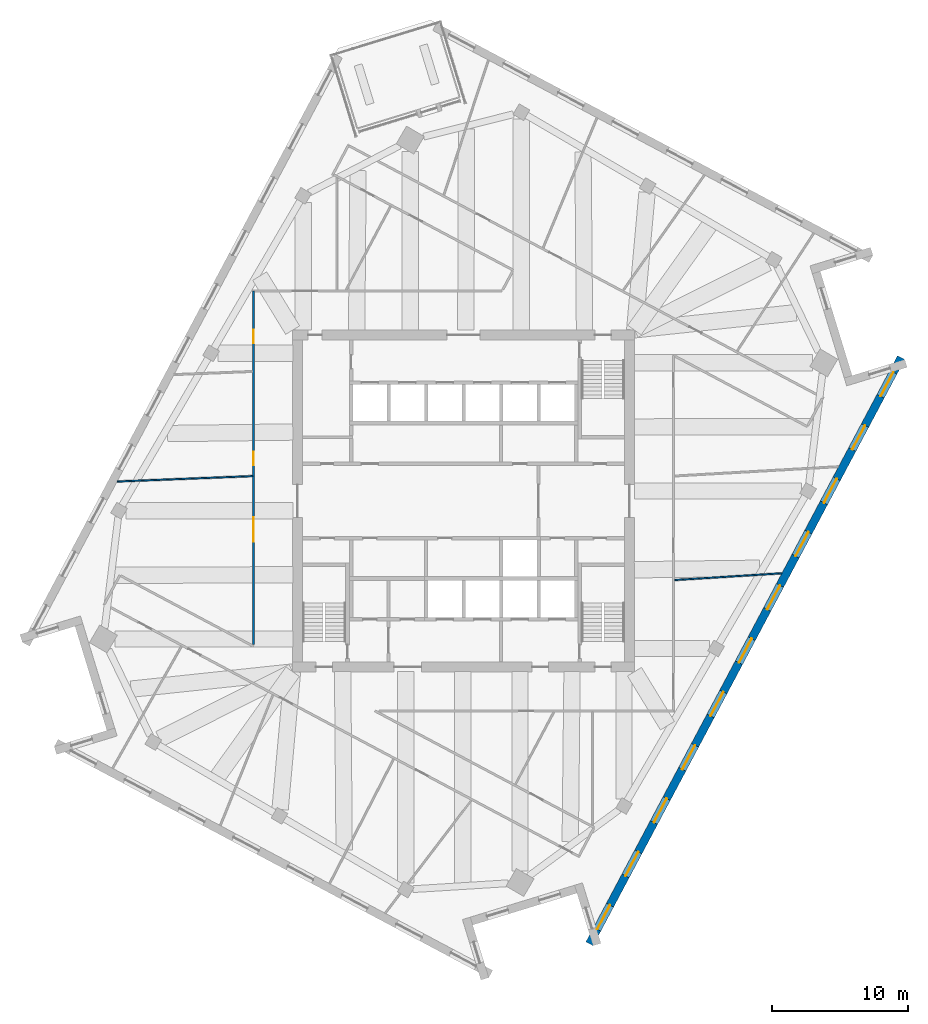
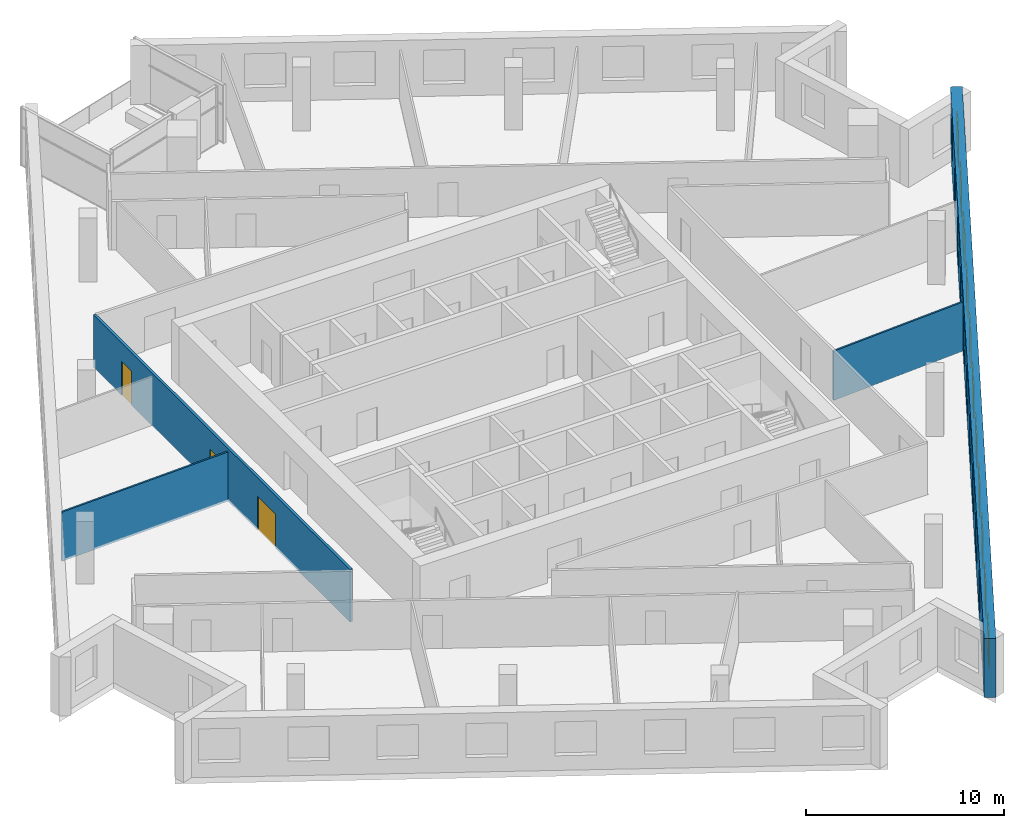
# One storey, part 8 of 13: 11 windows, 4 walls, 3 doors, 14 openings.
"""IFC4 building model written with IfcOpenShell, lengths in metres."""

from ifc_helpers import new_model, si_unit, direction, frame, frame_2d, origin, place, context, subcontext, project, spatial, rectangle, extrude, material, layer, layer_set, type_object, element, fill, save


model = new_model("IFC4")

# Units and contexts
model_context = context("Model", 3, precision=1e-05, world=origin(), true_north=direction((0.0, 1.0)))
body_context = subcontext(model_context, "Body", "Model", "MODEL_VIEW")
ifc_project = project(units=[si_unit("LENGTHUNIT", "METRE"), si_unit("AREAUNIT", "SQUARE_METRE"), si_unit("VOLUMEUNIT", "CUBIC_METRE"), si_unit("PLANEANGLEUNIT", "RADIAN"), si_unit("MASSUNIT", "GRAM", prefix="KILO")], contexts=[model_context])

# Site, building, storey
site_placement = place(None, origin())
site = spatial("IfcSite", under=ifc_project, at=site_placement, CompositionType="ELEMENT")
building_placement = place(site_placement, origin())
building = spatial("IfcBuilding", under=site, at=building_placement, Name="Dilmun Exchange Tower", CompositionType="ELEMENT")
storey_placement = place(building_placement, frame((0.0, 0.0, 278.89990234375)))
storey = spatial("IfcBuildingStorey", under=building, at=storey_placement, Name="L66", CompositionType="ELEMENT", Elevation=278.89990234375)

# Wall, openings, doors
ifc_material_1 = material(Name="Corridor wall 150")
ifc_layer_1 = layer(ifc_material_1, 0.14990234375)
ifc_layer_set_1 = layer_set([ifc_layer_1], Name="Corridor wall 150")
wall_type_1 = type_object("IfcWallType", Name="Corridor wall 150", PredefinedType="PARTITIONING", material=ifc_layer_set_1)
wall_1_placement = place(storey_placement, frame((-15.39990234375, -10.543212890625, 0.0), z_axis=(0.0, 0.0, 1.0), x_axis=(0.0, 1.0, 0.0)))
wall_1 = element("IfcWall", 1, at=wall_1_placement, inside=storey, type_object=wall_type_1, Name="Corridor wall", PredefinedType="PARTITIONING", context=body_context, shape_type="SweptSolid", body=[
    extrude(rectangle(XDim=25.943115234375, YDim=0.14990234375, at=frame_2d((12.9716796875, 0.0))), origin(), (0.0, 0.0, 1.0), 3.239990234375),
])
opening_1_placement = place(wall_1_placement, frame((7.550048828125, 0.0, 0.0)))
opening_1 = element("IfcOpeningElement", 2, at=opening_1_placement, cuts=wall_1, Name="Opening TF65-D01", PredefinedType="OPENING", context=body_context, shape_type="SweptSolid", body=[
    extrude(rectangle(XDim=1.800048828125, YDim=2.10009765625, at=frame_2d((0.89990234375, 1.050048828125))), frame((0.0, 0.0849609375, 0.0), z_axis=(0.0, -1.0, 0.0), x_axis=(1.0, 0.0, 0.0)), (0.0, 0.0, 1.0), 0.169921875),
])
opening_2_placement = place(wall_1_placement, frame((13.163818359375, 0.0, 0.0)))
opening_2 = element("IfcOpeningElement", 3, at=opening_2_placement, cuts=wall_1, Name="Opening TF65-D03", PredefinedType="OPENING", context=body_context, shape_type="SweptSolid", body=[
    extrude(rectangle(XDim=1.0, YDim=2.10009765625, at=frame_2d((0.5, 1.050048828125))), frame((0.0, 0.0849609375, 0.0), z_axis=(0.0, -1.0, 0.0), x_axis=(1.0, 0.0, 0.0)), (0.0, 0.0, 1.0), 0.169921875),
])
opening_3_placement = place(wall_1_placement, frame((22.088134765625, 0.0, 0.0)))
opening_3 = element("IfcOpeningElement", 4, at=opening_3_placement, cuts=wall_1, Name="Opening TF65-D07", PredefinedType="OPENING", context=body_context, shape_type="SweptSolid", body=[
    extrude(rectangle(XDim=1.0, YDim=2.10009765625, at=frame_2d((0.5, 1.050048828125))), frame((0.0, 0.0849609375, 0.0), z_axis=(0.0, -1.0, 0.0), x_axis=(1.0, 0.0, 0.0)), (0.0, 0.0, 1.0), 0.169921875),
])
ifc_material_2 = material(Name="Fire door 1000 x 2100")
door_type_1 = type_object("IfcDoorType", Name="Fire door 1000 x 2100", OperationType="NOTDEFINED", PredefinedType="DOOR", material=ifc_material_2)
door_1_placement = place(opening_2_placement, origin())
door_1 = element("IfcDoor", 5, at=door_1_placement, inside=storey, type_object=door_type_1, Name="Door TF65-D03", OperationType="SINGLE_SWING_RIGHT", OverallHeight=2.10009765625, OverallWidth=1.0, PredefinedType="DOOR", context=body_context, shape_type="SweptSolid", body=[
    extrude(rectangle(XDim=1.0, YDim=2.10009765625, at=frame_2d((0.5, 1.050048828125))), frame((0.0, 0.02490234375, 0.0), z_axis=(0.0, -1.0, 0.0), x_axis=(1.0, 0.0, 0.0)), (0.0, 0.0, 1.0), 0.050048828125),
])
fill(opening_2, door_1)
door_2_placement = place(opening_3_placement, origin())
door_2 = element("IfcDoor", 6, at=door_2_placement, inside=storey, type_object=door_type_1, Name="Door TF65-D07", OperationType="SINGLE_SWING_LEFT", OverallHeight=2.10009765625, OverallWidth=1.0, PredefinedType="DOOR", context=body_context, shape_type="SweptSolid", body=[
    extrude(rectangle(XDim=1.0, YDim=2.10009765625, at=frame_2d((0.5, 1.050048828125))), frame((0.0, 0.02490234375, 0.0), z_axis=(0.0, -1.0, 0.0), x_axis=(1.0, 0.0, 0.0)), (0.0, 0.0, 1.0), 0.050048828125),
])
fill(opening_3, door_2)
ifc_material_3 = material(Name="Fire door pair 1800 x 2100")
door_type_2 = type_object("IfcDoorType", Name="Fire door pair 1800 x 2100", OperationType="NOTDEFINED", PredefinedType="DOOR", material=ifc_material_3)
door_3_placement = place(opening_1_placement, origin())
door_3 = element("IfcDoor", 7, at=door_3_placement, inside=storey, type_object=door_type_2, Name="Door TF65-D01", OperationType="DOUBLE_DOOR_SINGLE_SWING", OverallHeight=2.10009765625, OverallWidth=1.800048828125, PredefinedType="DOOR", context=body_context, shape_type="SweptSolid", body=[
    extrude(rectangle(XDim=1.800048828125, YDim=2.10009765625, at=frame_2d((0.89990234375, 1.050048828125))), frame((0.0, 0.02490234375, 0.0), z_axis=(0.0, -1.0, 0.0), x_axis=(1.0, 0.0, 0.0)), (0.0, 0.0, 1.0), 0.050048828125),
])
fill(opening_1, door_3)

# Walls
ifc_material_4 = material(Name="Partition 100")
ifc_layer_2 = layer(ifc_material_4, 0.10009765625)
ifc_layer_set_2 = layer_set([ifc_layer_2], Name="Partition 100")
wall_type_2 = type_object("IfcWallType", Name="Partition 100", PredefinedType="PARTITIONING", material=ifc_layer_set_2)
wall_2_placement = place(storey_placement, frame((-25.404052734375, 1.421875, 0.0), z_axis=(0.0, 0.0, 1.0), x_axis=(0.999201390474, 0.039957243081, 0.0)))
element("IfcWall", 8, at=wall_2_placement, inside=storey, type_object=wall_type_2, Name="Partition", PredefinedType="PARTITIONING", context=body_context, shape_type="SweptSolid", body=[
    extrude(rectangle(XDim=9.934814453125, YDim=0.10009765625, at=frame_2d((4.96728515625, 0.0))), origin(), (0.0, 0.0, 1.0), 3.0400390625),
])
wall_3_placement = place(storey_placement, frame((15.47802734375, -5.802978515625, 0.0), z_axis=(0.0, 0.0, 1.0), x_axis=(0.9980255857, 0.062808680043, 0.0)))
element("IfcWall", 9, at=wall_3_placement, inside=storey, type_object=wall_type_2, Name="Partition", PredefinedType="PARTITIONING", context=body_context, shape_type="SweptSolid", body=[
    extrude(rectangle(XDim=7.875244140625, YDim=0.10009765625, at=frame_2d((3.9375, 0.0))), origin(), (0.0, 0.0, 1.0), 3.0400390625),
])

# Wall, openings, windows
ifc_material_5 = material(Name="Precast concrete C50/60", Category="concrete")
ifc_layer_3 = layer(ifc_material_5, 0.60009765625)
ifc_layer_set_3 = layer_set([ifc_layer_3], Name="Precast concrete C50/60")
wall_type_3 = type_object("IfcWallType", Name="Precast stone-clad wall 600", PredefinedType="STANDARD", material=ifc_layer_set_3)
wall_4_placement = place(storey_placement, frame((9.232666015625, -32.4794921875, 0.0), z_axis=(0.0, 0.0, 1.0), x_axis=(0.469468429065, 0.882949259081, 0.0)))
wall_4 = element("IfcWall", 10, at=wall_4_placement, inside=storey, type_object=wall_type_3, Name="Facade wall L66-11", PredefinedType="STANDARD", context=body_context, shape_type="SweptSolid", body=[
    extrude(rectangle(XDim=48.686279296875, YDim=0.60009765625, at=frame_2d((24.34326171875, 0.0))), origin(), (0.0, 0.0, 1.0), 3.64013671875),
])
opening_4_placement = place(wall_4_placement, frame((1.212890625, 0.0, 0.89990234375)))
opening_4 = element("IfcOpeningElement", 11, at=opening_4_placement, cuts=wall_4, Name="Opening W200-210", PredefinedType="OPENING", context=body_context, shape_type="SweptSolid", body=[
    extrude(rectangle(XDim=2.0, YDim=2.10009765625, at=frame_2d((1.0, 1.050048828125))), frame((0.0, 0.31005859375, 0.0), z_axis=(0.0, -1.0, 0.0), x_axis=(1.0, 0.0, 0.0)), (0.0, 0.0, 1.0), 0.6201171875),
])
opening_5_placement = place(wall_4_placement, frame((5.638916015625, 0.0, 0.89990234375)))
opening_5 = element("IfcOpeningElement", 12, at=opening_5_placement, cuts=wall_4, Name="Opening W200-210", PredefinedType="OPENING", context=body_context, shape_type="SweptSolid", body=[
    extrude(rectangle(XDim=2.0, YDim=2.10009765625, at=frame_2d((1.0, 1.050048828125))), frame((0.0, 0.31005859375, 0.0), z_axis=(0.0, -1.0, 0.0), x_axis=(1.0, 0.0, 0.0)), (0.0, 0.0, 1.0), 0.6201171875),
])
opening_6_placement = place(wall_4_placement, frame((10.065185546875, 0.0, 0.89990234375)))
opening_6 = element("IfcOpeningElement", 13, at=opening_6_placement, cuts=wall_4, Name="Opening W200-210", PredefinedType="OPENING", context=body_context, shape_type="SweptSolid", body=[
    extrude(rectangle(XDim=2.0, YDim=2.10009765625, at=frame_2d((1.0, 1.050048828125))), frame((0.0, 0.31005859375, 0.0), z_axis=(0.0, -1.0, 0.0), x_axis=(1.0, 0.0, 0.0)), (0.0, 0.0, 1.0), 0.6201171875),
])
opening_7_placement = place(wall_4_placement, frame((14.4912109375, 0.0, 0.89990234375)))
opening_7 = element("IfcOpeningElement", 14, at=opening_7_placement, cuts=wall_4, Name="Opening W200-210", PredefinedType="OPENING", context=body_context, shape_type="SweptSolid", body=[
    extrude(rectangle(XDim=2.0, YDim=2.10009765625, at=frame_2d((1.0, 1.050048828125))), frame((0.0, 0.31005859375, 0.0), z_axis=(0.0, -1.0, 0.0), x_axis=(1.0, 0.0, 0.0)), (0.0, 0.0, 1.0), 0.6201171875),
])
opening_8_placement = place(wall_4_placement, frame((18.9169921875, 0.0, 0.89990234375)))
opening_8 = element("IfcOpeningElement", 15, at=opening_8_placement, cuts=wall_4, Name="Opening W200-210", PredefinedType="OPENING", context=body_context, shape_type="SweptSolid", body=[
    extrude(rectangle(XDim=2.0, YDim=2.10009765625, at=frame_2d((1.0, 1.050048828125))), frame((0.0, 0.31005859375, 0.0), z_axis=(0.0, -1.0, 0.0), x_axis=(1.0, 0.0, 0.0)), (0.0, 0.0, 1.0), 0.6201171875),
])
opening_9_placement = place(wall_4_placement, frame((23.343017578125, 0.0, 0.89990234375)))
opening_9 = element("IfcOpeningElement", 16, at=opening_9_placement, cuts=wall_4, Name="Opening W200-210", PredefinedType="OPENING", context=body_context, shape_type="SweptSolid", body=[
    extrude(rectangle(XDim=2.0, YDim=2.10009765625, at=frame_2d((1.0, 1.050048828125))), frame((0.0, 0.31005859375, 0.0), z_axis=(0.0, -1.0, 0.0), x_axis=(1.0, 0.0, 0.0)), (0.0, 0.0, 1.0), 0.6201171875),
])
opening_10_placement = place(wall_4_placement, frame((27.769287109375, 0.0, 0.89990234375)))
opening_10 = element("IfcOpeningElement", 17, at=opening_10_placement, cuts=wall_4, Name="Opening W200-210", PredefinedType="OPENING", context=body_context, shape_type="SweptSolid", body=[
    extrude(rectangle(XDim=2.0, YDim=2.10009765625, at=frame_2d((1.0, 1.050048828125))), frame((0.0, 0.31005859375, 0.0), z_axis=(0.0, -1.0, 0.0), x_axis=(1.0, 0.0, 0.0)), (0.0, 0.0, 1.0), 0.6201171875),
])
opening_11_placement = place(wall_4_placement, frame((32.1953125, 0.0, 0.89990234375)))
opening_11 = element("IfcOpeningElement", 18, at=opening_11_placement, cuts=wall_4, Name="Opening W200-210", PredefinedType="OPENING", context=body_context, shape_type="SweptSolid", body=[
    extrude(rectangle(XDim=2.0, YDim=2.10009765625, at=frame_2d((1.0, 1.050048828125))), frame((0.0, 0.31005859375, 0.0), z_axis=(0.0, -1.0, 0.0), x_axis=(1.0, 0.0, 0.0)), (0.0, 0.0, 1.0), 0.6201171875),
])
opening_12_placement = place(wall_4_placement, frame((36.62109375, 0.0, 0.89990234375)))
opening_12 = element("IfcOpeningElement", 19, at=opening_12_placement, cuts=wall_4, Name="Opening W200-210", PredefinedType="OPENING", context=body_context, shape_type="SweptSolid", body=[
    extrude(rectangle(XDim=2.0, YDim=2.10009765625, at=frame_2d((1.0, 1.050048828125))), frame((0.0, 0.31005859375, 0.0), z_axis=(0.0, -1.0, 0.0), x_axis=(1.0, 0.0, 0.0)), (0.0, 0.0, 1.0), 0.6201171875),
])
opening_13_placement = place(wall_4_placement, frame((41.04736328125, 0.0, 0.89990234375)))
opening_13 = element("IfcOpeningElement", 20, at=opening_13_placement, cuts=wall_4, Name="Opening W200-210", PredefinedType="OPENING", context=body_context, shape_type="SweptSolid", body=[
    extrude(rectangle(XDim=2.0, YDim=2.10009765625, at=frame_2d((1.0, 1.050048828125))), frame((0.0, 0.31005859375, 0.0), z_axis=(0.0, -1.0, 0.0), x_axis=(1.0, 0.0, 0.0)), (0.0, 0.0, 1.0), 0.6201171875),
])
opening_14_placement = place(wall_4_placement, frame((45.473388671875, 0.0, 0.89990234375)))
opening_14 = element("IfcOpeningElement", 21, at=opening_14_placement, cuts=wall_4, Name="Opening W200-210", PredefinedType="OPENING", context=body_context, shape_type="SweptSolid", body=[
    extrude(rectangle(XDim=2.0, YDim=2.10009765625, at=frame_2d((1.0, 1.050048828125))), frame((0.0, 0.31005859375, 0.0), z_axis=(0.0, -1.0, 0.0), x_axis=(1.0, 0.0, 0.0)), (0.0, 0.0, 1.0), 0.6201171875),
])
ifc_material_6 = material(Name="Clear low-emissivity glass in aluminium frame", Category="aluminium")
window_type = type_object("IfcWindowType", Name="Punched window 2000 x 2100", PartitioningType="DOUBLE_PANEL_VERTICAL", PredefinedType="WINDOW", material=ifc_material_6)
window_1_placement = place(opening_4_placement, origin())
window_1 = element("IfcWindow", 22, at=window_1_placement, inside=storey, type_object=window_type, Name="Window 12.1", OverallHeight=2.10009765625, OverallWidth=2.0, PartitioningType="SINGLE_PANEL", PredefinedType="WINDOW", context=body_context, shape_type="SweptSolid", body=[
    extrude(rectangle(XDim=2.0, YDim=2.10009765625, at=frame_2d((1.0, 1.050048828125))), frame((0.0, 0.030029296875, 0.0), z_axis=(0.0, -1.0, 0.0), x_axis=(1.0, 0.0, 0.0)), (0.0, 0.0, 1.0), 0.06005859375),
])
fill(opening_4, window_1)
window_2_placement = place(opening_5_placement, origin())
window_2 = element("IfcWindow", 23, at=window_2_placement, inside=storey, type_object=window_type, Name="Window 12.2", OverallHeight=2.10009765625, OverallWidth=2.0, PartitioningType="SINGLE_PANEL", PredefinedType="WINDOW", context=body_context, shape_type="SweptSolid", body=[
    extrude(rectangle(XDim=2.0, YDim=2.10009765625, at=frame_2d((1.0, 1.050048828125))), frame((0.0, 0.030029296875, 0.0), z_axis=(0.0, -1.0, 0.0), x_axis=(1.0, 0.0, 0.0)), (0.0, 0.0, 1.0), 0.06005859375),
])
fill(opening_5, window_2)
window_3_placement = place(opening_6_placement, origin())
window_3 = element("IfcWindow", 24, at=window_3_placement, inside=storey, type_object=window_type, Name="Window 12.3", OverallHeight=2.10009765625, OverallWidth=2.0, PartitioningType="SINGLE_PANEL", PredefinedType="WINDOW", context=body_context, shape_type="SweptSolid", body=[
    extrude(rectangle(XDim=2.0, YDim=2.10009765625, at=frame_2d((1.0, 1.050048828125))), frame((0.0, 0.030029296875, 0.0), z_axis=(0.0, -1.0, 0.0), x_axis=(1.0, 0.0, 0.0)), (0.0, 0.0, 1.0), 0.06005859375),
])
fill(opening_6, window_3)
window_4_placement = place(opening_7_placement, origin())
window_4 = element("IfcWindow", 25, at=window_4_placement, inside=storey, type_object=window_type, Name="Window 12.4", OverallHeight=2.10009765625, OverallWidth=2.0, PartitioningType="SINGLE_PANEL", PredefinedType="WINDOW", context=body_context, shape_type="SweptSolid", body=[
    extrude(rectangle(XDim=2.0, YDim=2.10009765625, at=frame_2d((1.0, 1.050048828125))), frame((0.0, 0.030029296875, 0.0), z_axis=(0.0, -1.0, 0.0), x_axis=(1.0, 0.0, 0.0)), (0.0, 0.0, 1.0), 0.06005859375),
])
fill(opening_7, window_4)
window_5_placement = place(opening_8_placement, origin())
window_5 = element("IfcWindow", 26, at=window_5_placement, inside=storey, type_object=window_type, Name="Window 12.5", OverallHeight=2.10009765625, OverallWidth=2.0, PartitioningType="SINGLE_PANEL", PredefinedType="WINDOW", context=body_context, shape_type="SweptSolid", body=[
    extrude(rectangle(XDim=2.0, YDim=2.10009765625, at=frame_2d((1.0, 1.050048828125))), frame((0.0, 0.030029296875, 0.0), z_axis=(0.0, -1.0, 0.0), x_axis=(1.0, 0.0, 0.0)), (0.0, 0.0, 1.0), 0.06005859375),
])
fill(opening_8, window_5)
window_6_placement = place(opening_9_placement, origin())
window_6 = element("IfcWindow", 27, at=window_6_placement, inside=storey, type_object=window_type, Name="Window 12.6", OverallHeight=2.10009765625, OverallWidth=2.0, PartitioningType="SINGLE_PANEL", PredefinedType="WINDOW", context=body_context, shape_type="SweptSolid", body=[
    extrude(rectangle(XDim=2.0, YDim=2.10009765625, at=frame_2d((1.0, 1.050048828125))), frame((0.0, 0.030029296875, 0.0), z_axis=(0.0, -1.0, 0.0), x_axis=(1.0, 0.0, 0.0)), (0.0, 0.0, 1.0), 0.06005859375),
])
fill(opening_9, window_6)
window_7_placement = place(opening_10_placement, origin())
window_7 = element("IfcWindow", 28, at=window_7_placement, inside=storey, type_object=window_type, Name="Window 12.7", OverallHeight=2.10009765625, OverallWidth=2.0, PartitioningType="SINGLE_PANEL", PredefinedType="WINDOW", context=body_context, shape_type="SweptSolid", body=[
    extrude(rectangle(XDim=2.0, YDim=2.10009765625, at=frame_2d((1.0, 1.050048828125))), frame((0.0, 0.030029296875, 0.0), z_axis=(0.0, -1.0, 0.0), x_axis=(1.0, 0.0, 0.0)), (0.0, 0.0, 1.0), 0.06005859375),
])
fill(opening_10, window_7)
window_8_placement = place(opening_11_placement, origin())
window_8 = element("IfcWindow", 29, at=window_8_placement, inside=storey, type_object=window_type, Name="Window 12.8", OverallHeight=2.10009765625, OverallWidth=2.0, PartitioningType="SINGLE_PANEL", PredefinedType="WINDOW", context=body_context, shape_type="SweptSolid", body=[
    extrude(rectangle(XDim=2.0, YDim=2.10009765625, at=frame_2d((1.0, 1.050048828125))), frame((0.0, 0.030029296875, 0.0), z_axis=(0.0, -1.0, 0.0), x_axis=(1.0, 0.0, 0.0)), (0.0, 0.0, 1.0), 0.06005859375),
])
fill(opening_11, window_8)
window_9_placement = place(opening_12_placement, origin())
window_9 = element("IfcWindow", 30, at=window_9_placement, inside=storey, type_object=window_type, Name="Window 12.9", OverallHeight=2.10009765625, OverallWidth=2.0, PartitioningType="SINGLE_PANEL", PredefinedType="WINDOW", context=body_context, shape_type="SweptSolid", body=[
    extrude(rectangle(XDim=2.0, YDim=2.10009765625, at=frame_2d((1.0, 1.050048828125))), frame((0.0, 0.030029296875, 0.0), z_axis=(0.0, -1.0, 0.0), x_axis=(1.0, 0.0, 0.0)), (0.0, 0.0, 1.0), 0.06005859375),
])
fill(opening_12, window_9)
window_10_placement = place(opening_13_placement, origin())
window_10 = element("IfcWindow", 31, at=window_10_placement, inside=storey, type_object=window_type, Name="Window 12.10", OverallHeight=2.10009765625, OverallWidth=2.0, PartitioningType="SINGLE_PANEL", PredefinedType="WINDOW", context=body_context, shape_type="SweptSolid", body=[
    extrude(rectangle(XDim=2.0, YDim=2.10009765625, at=frame_2d((1.0, 1.050048828125))), frame((0.0, 0.030029296875, 0.0), z_axis=(0.0, -1.0, 0.0), x_axis=(1.0, 0.0, 0.0)), (0.0, 0.0, 1.0), 0.06005859375),
])
fill(opening_13, window_10)
window_11_placement = place(opening_14_placement, origin())
window_11 = element("IfcWindow", 32, at=window_11_placement, inside=storey, type_object=window_type, Name="Window 12.11", OverallHeight=2.10009765625, OverallWidth=2.0, PartitioningType="SINGLE_PANEL", PredefinedType="WINDOW", context=body_context, shape_type="SweptSolid", body=[
    extrude(rectangle(XDim=2.0, YDim=2.10009765625, at=frame_2d((1.0, 1.050048828125))), frame((0.0, 0.030029296875, 0.0), z_axis=(0.0, -1.0, 0.0), x_axis=(1.0, 0.0, 0.0)), (0.0, 0.0, 1.0), 0.06005859375),
])
fill(opening_14, window_11)

save(model, "model.ifc")
